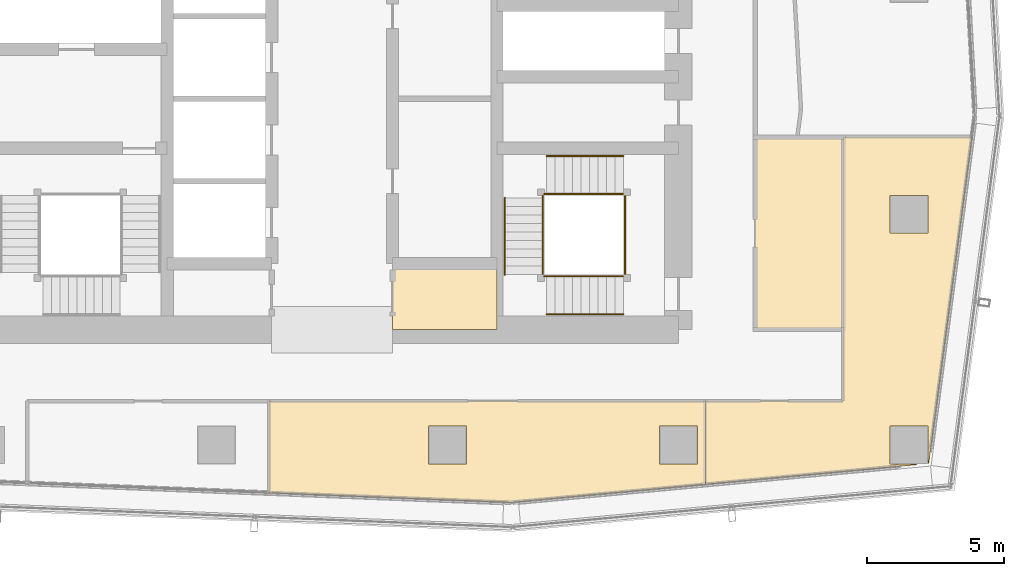
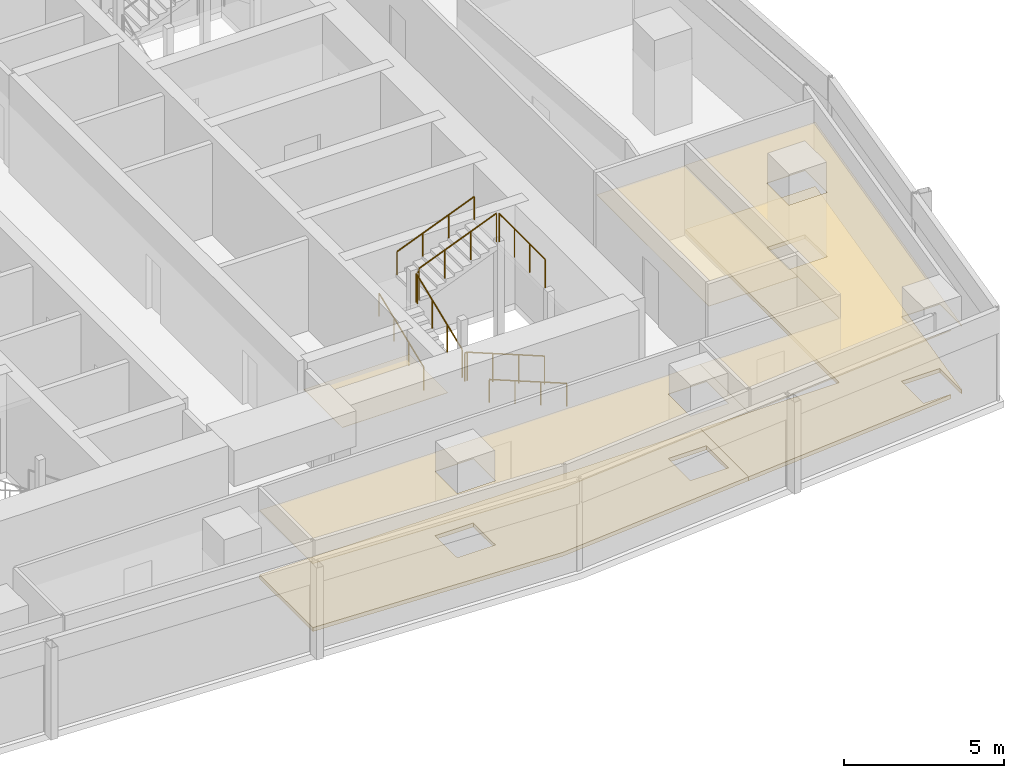
# One storey, part 35 of 39: 10 railings, 6 coverings.
"""IFC4 building model written with IfcOpenShell, lengths in metres."""

from ifc_helpers import new_model, si_unit, direction, frame, origin, origin_2d, place, context, subcontext, project, spatial, polyline, circle, outline, extrude, material, layer, layer_set, type_object, element, save


model = new_model("IFC4")

# Units and contexts
model_context = context("Model", 3, precision=1e-05, world=origin(), true_north=direction((0.0, 1.0)))
body_context = subcontext(model_context, "Body", "Model", "MODEL_VIEW")
ifc_project = project(units=[si_unit("LENGTHUNIT", "METRE"), si_unit("AREAUNIT", "SQUARE_METRE"), si_unit("VOLUMEUNIT", "CUBIC_METRE"), si_unit("PLANEANGLEUNIT", "RADIAN"), si_unit("MASSUNIT", "GRAM", prefix="KILO")], contexts=[model_context])

# Site, building, storey
site_placement = place(None, origin())
site = spatial("IfcSite", under=ifc_project, at=site_placement, CompositionType="ELEMENT")
building_placement = place(site_placement, origin())
building = spatial("IfcBuilding", under=site, at=building_placement, Name="Rekha Terrace Tower", CompositionType="ELEMENT")
storey_placement = place(building_placement, frame((0.0, 0.0, 225.199951171875)))
storey = spatial("IfcBuildingStorey", under=building, at=storey_placement, Name="L57", CompositionType="ELEMENT", Elevation=225.199951171875)

# Coverings
ifc_material_1 = material(Name="Mineral fibre tile in exposed grid", Category="finish")
ifc_layer_1 = layer(ifc_material_1, 0.02001953125)
ifc_layer_set_1 = layer_set([ifc_layer_1], Name="Mineral fibre tile in exposed grid")
covering_type_1 = type_object("IfcCoveringType", Name="CL1 600x1200 office grid ceiling", PredefinedType="CEILING", material=ifc_layer_set_1)
covering_1_placement = place(storey_placement, frame((0.0, 0.0, 2.580078125)))
element("IfcCovering", 1, at=covering_1_placement, inside=storey, type_object=covering_type_1, Name="Ceiling L57-02", PredefinedType="CEILING", context=body_context, shape_type="SweptSolid", body=[
    extrude(outline(polyline([(35.508056640625, 15.06298828125), (44.343994140625, 14.7109375), (44.343994140625, 14.715087890625), (51.383056640625, 15.3701171875), (51.383056640625, 18.39990234375), (35.508056640625, 18.39990234375), (35.508056640625, 15.06298828125)]), holes=[polyline([(51.090087890625, 16.110107421875), (49.7099609375, 16.110107421875), (49.7099609375, 17.489990234375), (51.090087890625, 17.489990234375), (51.090087890625, 16.110107421875)]), polyline([(42.68994140625, 17.489990234375), (42.68994140625, 16.110107421875), (41.31005859375, 16.110107421875), (41.31005859375, 17.489990234375), (42.68994140625, 17.489990234375)])]), origin(), (0.0, 0.0, 1.0), 0.02001953125),
])
covering_2_placement = place(storey_placement, frame((0.0, 0.0, 2.580078125)))
element("IfcCovering", 2, at=covering_2_placement, inside=storey, type_object=covering_type_1, Name="Ceiling L57-03", PredefinedType="CEILING", context=body_context, shape_type="SweptSolid", body=[
    extrude(outline(polyline([(59.489990234375, 16.12890625), (59.510009765625, 16.1279296875), (61.083984375, 28.012939453125), (56.39990234375, 28.012939453125), (56.39990234375, 18.39990234375), (51.383056640625, 18.39990234375), (51.383056640625, 15.3701171875), (59.080078125, 16.0869140625), (59.0791015625, 16.110107421875), (58.110107421875, 16.110107421875), (58.110107421875, 17.489990234375), (59.489990234375, 17.489990234375), (59.489990234375, 16.12890625)]), holes=[polyline([(59.489990234375, 24.510009765625), (58.110107421875, 24.510009765625), (58.110107421875, 25.889892578125), (59.489990234375, 25.889892578125), (59.489990234375, 24.510009765625)])]), origin(), (0.0, 0.0, 1.0), 0.02001953125),
])
ifc_material_2 = material(Name="Fibre cement board", Category="finish")
ifc_layer_2 = layer(ifc_material_2, 0.014892578125)
ifc_layer_set_2 = layer_set([ifc_layer_2], Name="Fibre cement board")
covering_type_2 = type_object("IfcCoveringType", Name="CL2 moisture-resistant board ceiling", PredefinedType="CEILING", material=ifc_layer_set_2)
covering_3_placement = place(storey_placement, frame((0.0, 0.0, 2.5849609375)))
element("IfcCovering", 3, at=covering_3_placement, inside=storey, type_object=covering_type_2, Name="Ceiling L57-WCA", PredefinedType="CEILING", context=body_context, shape_type="SweptSolid", body=[
    extrude(outline(polyline([(43.800048828125, 23.39990234375), (40.0, 23.39990234375), (40.0, 21.0), (43.800048828125, 21.0), (43.800048828125, 23.39990234375)])), origin(), (0.0, 0.0, 1.0), 0.01513671875),
])
covering_4_placement = place(storey_placement, frame((0.0, 0.0, 2.5849609375)))
element("IfcCovering", 4, at=covering_4_placement, inside=storey, type_object=covering_type_2, Name="Ceiling L57-WCM2", PredefinedType="CEILING", context=body_context, shape_type="SweptSolid", body=[
    extrude(outline(polyline([(56.39990234375, 28.0), (53.199951171875, 28.0), (53.199951171875, 21.0), (56.39990234375, 21.0), (56.39990234375, 28.0)])), origin(), (0.0, 0.0, 1.0), 0.01513671875),
])

# Railings
ifc_material_3 = material(Name="Stainless steel balustrade", Category="steel")
railing_type_1 = type_object("IfcRailingType", Name="GR1 1100 stair guard", PredefinedType="GUARDRAIL", material=ifc_material_3)
railing_1_placement = place(storey_placement, frame((48.39990234375, 22.93994140625, 0.125)))
element("IfcRailing", 5, at=railing_1_placement, inside=storey, type_object=railing_type_1, Name="Guard ST3 L57 flight 1", PredefinedType="GUARDRAIL", context=body_context, shape_type="SweptSolid", body=[
    extrude(circle(Radius=0.02392578125, at=origin_2d()), frame((0.0, 0.0, 1.076171875), z_axis=(-0.927431937212, 0.0, 0.373991980981), x_axis=(0.0, -1.0, 0.0)), (0.0, 0.0, 1.0), 3.008056640625),
    extrude(circle(Radius=0.02099609375, at=origin_2d()), origin(), (0.0, 0.0, 1.0), 1.052001953125),
    extrude(circle(Radius=0.02099609375, at=origin_2d()), frame((-0.929931640625, 0.0, 0.375)), (0.0, 0.0, 1.0), 1.052001953125),
    extrude(circle(Radius=0.02099609375, at=origin_2d()), frame((-1.85986328125, 0.0, 0.75)), (0.0, 0.0, 1.0), 1.052001953125),
    extrude(circle(Radius=0.02099609375, at=origin_2d()), frame((-2.789794921875, 0.0, 1.125)), (0.0, 0.0, 1.0), 1.052001953125),
])
railing_2_placement = place(storey_placement, frame((45.465087890625, 23.0, 1.375)))
element("IfcRailing", 6, at=railing_2_placement, inside=storey, type_object=railing_type_1, Name="Guard ST3 L57 flight 2", PredefinedType="GUARDRAIL", context=body_context, shape_type="SweptSolid", body=[
    extrude(circle(Radius=0.02392578125, at=origin_2d()), frame((0.0, 0.0, 1.076171875), z_axis=(0.0, 0.927443287984, 0.373963831907), x_axis=(-1.0, 0.0, 0.0)), (0.0, 0.0, 1.0), 3.00830078125),
    extrude(circle(Radius=0.02099609375, at=origin_2d()), origin(), (0.0, 0.0, 1.0), 1.052001953125),
    extrude(circle(Radius=0.02099609375, at=origin_2d()), frame((0.0, 0.929931640625, 0.375)), (0.0, 0.0, 1.0), 1.052001953125),
    extrude(circle(Radius=0.02099609375, at=origin_2d()), frame((0.0, 1.860107421875, 0.75)), (0.0, 0.0, 1.0), 1.052001953125),
    extrude(circle(Radius=0.02099609375, at=origin_2d()), frame((0.0, 2.7900390625, 1.125)), (0.0, 0.0, 1.0), 1.052001953125),
])
railing_3_placement = place(storey_placement, frame((45.610107421875, 25.93505859375, 2.625)))
element("IfcRailing", 7, at=railing_3_placement, inside=storey, type_object=railing_type_1, Name="Guard ST3 L57 flight 3", PredefinedType="GUARDRAIL", context=body_context, shape_type="SweptSolid", body=[
    extrude(circle(Radius=0.02392578125, at=origin_2d()), frame((0.0, 0.0, 1.076171875), z_axis=(0.927431937212, 0.0, 0.373991980981), x_axis=(0.0, 1.0, 0.0)), (0.0, 0.0, 1.0), 3.008056640625),
    extrude(circle(Radius=0.02099609375, at=origin_2d()), origin(), (0.0, 0.0, 1.0), 1.052001953125),
    extrude(circle(Radius=0.02099609375, at=origin_2d()), frame((0.929931640625, 0.0, 0.375)), (0.0, 0.0, 1.0), 1.052001953125),
    extrude(circle(Radius=0.02099609375, at=origin_2d()), frame((1.85986328125, 0.0, 0.75)), (0.0, 0.0, 1.0), 1.052001953125),
    extrude(circle(Radius=0.02099609375, at=origin_2d()), frame((2.789794921875, 0.0, 1.125)), (0.0, 0.0, 1.0), 1.052001953125),
])
railing_4_placement = place(storey_placement, frame((45.610107421875, 22.93994140625, 1.25)))
element("IfcRailing", 8, at=railing_4_placement, inside=storey, type_object=railing_type_1, Name="Guard ST3 L57 landing 1", PredefinedType="GUARDRAIL", context=body_context, shape_type="SweptSolid", body=[
    extrude(circle(Radius=0.02392578125, at=origin_2d()), frame((0.0, 0.0, 1.076171875), z_axis=(-1.0, 0.0, 0.0), x_axis=(0.0, -1.0, 0.0)), (0.0, 0.0, 1.0), 0.085205078125),
    extrude(circle(Radius=0.02099609375, at=origin_2d()), origin(), (0.0, 0.0, 1.0), 1.052001953125),
    extrude(circle(Radius=0.02099609375, at=origin_2d()), frame((-0.085205078125, 0.0, 0.0)), (0.0, 0.0, 1.0), 1.052001953125),
])
railing_5_placement = place(storey_placement, frame((45.465087890625, 25.7900390625, 2.5)))
element("IfcRailing", 9, at=railing_5_placement, inside=storey, type_object=railing_type_1, Name="Guard ST3 L57 landing 2", PredefinedType="GUARDRAIL", context=body_context, shape_type="SweptSolid", body=[
    extrude(circle(Radius=0.02392578125, at=origin_2d()), frame((0.0, 0.0, 1.076171875), z_axis=(0.0, 1.0, 0.0), x_axis=(-1.0, 0.0, 0.0)), (0.0, 0.0, 1.0), 0.0849609375),
    extrude(circle(Radius=0.02099609375, at=origin_2d()), origin(), (0.0, 0.0, 1.0), 1.052001953125),
    extrude(circle(Radius=0.02099609375, at=origin_2d()), frame((0.0, 0.0849609375, 0.0)), (0.0, 0.0, 1.0), 1.052001953125),
])
railing_6_placement = place(storey_placement, frame((45.610107421875, 25.93505859375, 2.5)))
element("IfcRailing", 10, at=railing_6_placement, inside=storey, type_object=railing_type_1, Name="Guard ST3 L57 landing 3", PredefinedType="GUARDRAIL", context=body_context, shape_type="SweptSolid", body=[
    extrude(circle(Radius=0.02392578125, at=origin_2d()), frame((0.0, 0.0, 1.076171875), z_axis=(-1.0, 0.0, 0.0), x_axis=(0.0, -1.0, 0.0)), (0.0, 0.0, 1.0), 0.085205078125),
    extrude(circle(Radius=0.02099609375, at=origin_2d()), origin(), (0.0, 0.0, 1.0), 1.052001953125),
    extrude(circle(Radius=0.02099609375, at=origin_2d()), frame((-0.085205078125, 0.0, 0.0)), (0.0, 0.0, 1.0), 1.052001953125),
])
railing_7_placement = place(storey_placement, frame((48.4599609375, 23.0, 3.75)))
element("IfcRailing", 11, at=railing_7_placement, inside=storey, type_object=railing_type_1, Name="Guard ST3 L57 landing 4", PredefinedType="GUARDRAIL", context=body_context, shape_type="SweptSolid", body=[
    extrude(circle(Radius=0.02392578125, at=origin_2d()), frame((0.0, 0.0, 1.076171875), z_axis=(0.0, 1.0, 0.0), x_axis=(-1.0, 0.0, 0.0)), (0.0, 0.0, 1.0), 2.875),
    extrude(circle(Radius=0.02099609375, at=origin_2d()), origin(), (0.0, 0.0, 1.0), 1.052001953125),
    extrude(circle(Radius=0.02099609375, at=origin_2d()), frame((0.0, 0.958251953125, 0.0)), (0.0, 0.0, 1.0), 1.052001953125),
    extrude(circle(Radius=0.02099609375, at=origin_2d()), frame((0.0, 1.916748046875, 0.0)), (0.0, 0.0, 1.0), 1.052001953125),
    extrude(circle(Radius=0.02099609375, at=origin_2d()), frame((0.0, 2.875, 0.0)), (0.0, 0.0, 1.0), 1.052001953125),
])
ifc_material_4 = material(Name="Stainless steel tube", Category="steel")
railing_type_2 = type_object("IfcRailingType", Name="HR1 900 stair handrail", PredefinedType="HANDRAIL", material=ifc_material_4)
railing_8_placement = place(storey_placement, frame((48.39990234375, 21.56005859375, 0.125)))
element("IfcRailing", 12, at=railing_8_placement, inside=storey, type_object=railing_type_2, Name="Handrail ST3 L57 flight 1", PredefinedType="HANDRAIL", context=body_context, shape_type="SweptSolid", body=[
    extrude(circle(Radius=0.02392578125, at=origin_2d()), frame((0.0, 0.0, 0.8759765625), z_axis=(-0.927431937212, 0.0, 0.373991980981), x_axis=(0.0, -1.0, 0.0)), (0.0, 0.0, 1.0), 3.008056640625),
    extrude(circle(Radius=0.02099609375, at=origin_2d()), origin(), (0.0, 0.0, 1.0), 0.851806640625),
    extrude(circle(Radius=0.02099609375, at=origin_2d()), frame((-0.929931640625, 0.0, 0.375)), (0.0, 0.0, 1.0), 0.851806640625),
    extrude(circle(Radius=0.02099609375, at=origin_2d()), frame((-1.85986328125, 0.0, 0.75)), (0.0, 0.0, 1.0), 0.851806640625),
    extrude(circle(Radius=0.02099609375, at=origin_2d()), frame((-2.789794921875, 0.0, 1.125)), (0.0, 0.0, 1.0), 0.851806640625),
])
railing_9_placement = place(storey_placement, frame((44.0849609375, 23.0, 1.375)))
element("IfcRailing", 13, at=railing_9_placement, inside=storey, type_object=railing_type_2, Name="Handrail ST3 L57 flight 2", PredefinedType="HANDRAIL", context=body_context, shape_type="SweptSolid", body=[
    extrude(circle(Radius=0.02392578125, at=origin_2d()), frame((0.0, 0.0, 0.8759765625), z_axis=(0.0, 0.927443287984, 0.373963831907), x_axis=(-1.0, 0.0, 0.0)), (0.0, 0.0, 1.0), 3.00830078125),
    extrude(circle(Radius=0.02099609375, at=origin_2d()), origin(), (0.0, 0.0, 1.0), 0.851806640625),
    extrude(circle(Radius=0.02099609375, at=origin_2d()), frame((0.0, 0.929931640625, 0.375)), (0.0, 0.0, 1.0), 0.851806640625),
    extrude(circle(Radius=0.02099609375, at=origin_2d()), frame((0.0, 1.860107421875, 0.75)), (0.0, 0.0, 1.0), 0.851806640625),
    extrude(circle(Radius=0.02099609375, at=origin_2d()), frame((0.0, 2.7900390625, 1.125)), (0.0, 0.0, 1.0), 0.851806640625),
])
railing_10_placement = place(storey_placement, frame((45.610107421875, 27.31494140625, 2.625)))
element("IfcRailing", 14, at=railing_10_placement, inside=storey, type_object=railing_type_2, Name="Handrail ST3 L57 flight 3", PredefinedType="HANDRAIL", context=body_context, shape_type="SweptSolid", body=[
    extrude(circle(Radius=0.02392578125, at=origin_2d()), frame((0.0, 0.0, 0.8759765625), z_axis=(0.927431937212, 0.0, 0.373991980981), x_axis=(0.0, 1.0, 0.0)), (0.0, 0.0, 1.0), 3.008056640625),
    extrude(circle(Radius=0.02099609375, at=origin_2d()), origin(), (0.0, 0.0, 1.0), 0.851806640625),
    extrude(circle(Radius=0.02099609375, at=origin_2d()), frame((0.929931640625, 0.0, 0.375)), (0.0, 0.0, 1.0), 0.851806640625),
    extrude(circle(Radius=0.02099609375, at=origin_2d()), frame((1.85986328125, 0.0, 0.75)), (0.0, 0.0, 1.0), 0.851806640625),
    extrude(circle(Radius=0.02099609375, at=origin_2d()), frame((2.789794921875, 0.0, 1.125)), (0.0, 0.0, 1.0), 0.851806640625),
])

# Coverings
ifc_material_5 = material(Name="Calcium sulphate panels on steel pedestals", Category="steel")
ifc_layer_3 = layer(ifc_material_5, 0.14990234375)
ifc_layer_set_3 = layer_set([ifc_layer_3], Name="Calcium sulphate panels on steel pedestals")
covering_type_3 = type_object("IfcCoveringType", Name="RF1 150 raised access floor", PredefinedType="FLOORING", material=ifc_layer_set_3)
covering_5_placement = place(storey_placement, origin())
element("IfcCovering", 15, at=covering_5_placement, inside=storey, type_object=covering_type_3, Name="Raised floor L57-02", PredefinedType="FLOORING", context=body_context, shape_type="SweptSolid", body=[
    extrude(outline(polyline([(35.508056640625, 15.06298828125), (44.343994140625, 14.7109375), (44.343994140625, 14.715087890625), (51.383056640625, 15.3701171875), (51.383056640625, 18.39990234375), (35.508056640625, 18.39990234375), (35.508056640625, 15.06298828125)]), holes=[polyline([(51.090087890625, 16.110107421875), (49.7099609375, 16.110107421875), (49.7099609375, 17.489990234375), (51.090087890625, 17.489990234375), (51.090087890625, 16.110107421875)]), polyline([(42.68994140625, 17.489990234375), (42.68994140625, 16.110107421875), (41.31005859375, 16.110107421875), (41.31005859375, 17.489990234375), (42.68994140625, 17.489990234375)])]), origin(), (0.0, 0.0, 1.0), 0.150146484375),
])
covering_6_placement = place(storey_placement, origin())
element("IfcCovering", 16, at=covering_6_placement, inside=storey, type_object=covering_type_3, Name="Raised floor L57-03", PredefinedType="FLOORING", context=body_context, shape_type="SweptSolid", body=[
    extrude(outline(polyline([(59.489990234375, 16.12890625), (59.510009765625, 16.1279296875), (61.083984375, 28.012939453125), (56.39990234375, 28.012939453125), (56.39990234375, 18.39990234375), (51.383056640625, 18.39990234375), (51.383056640625, 15.3701171875), (59.080078125, 16.0869140625), (59.0791015625, 16.110107421875), (58.110107421875, 16.110107421875), (58.110107421875, 17.489990234375), (59.489990234375, 17.489990234375), (59.489990234375, 16.12890625)]), holes=[polyline([(59.489990234375, 24.510009765625), (58.110107421875, 24.510009765625), (58.110107421875, 25.889892578125), (59.489990234375, 25.889892578125), (59.489990234375, 24.510009765625)])]), origin(), (0.0, 0.0, 1.0), 0.150146484375),
])

save(model, "model.ifc")
